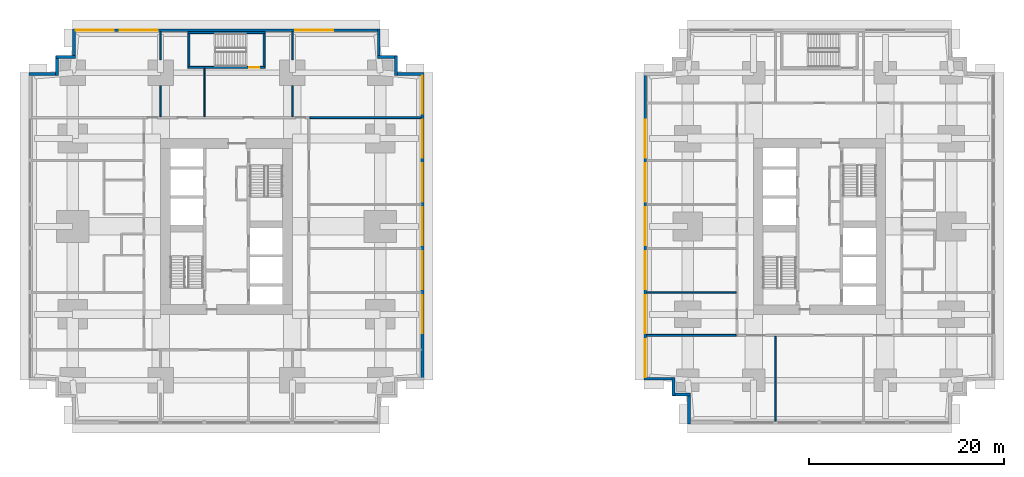
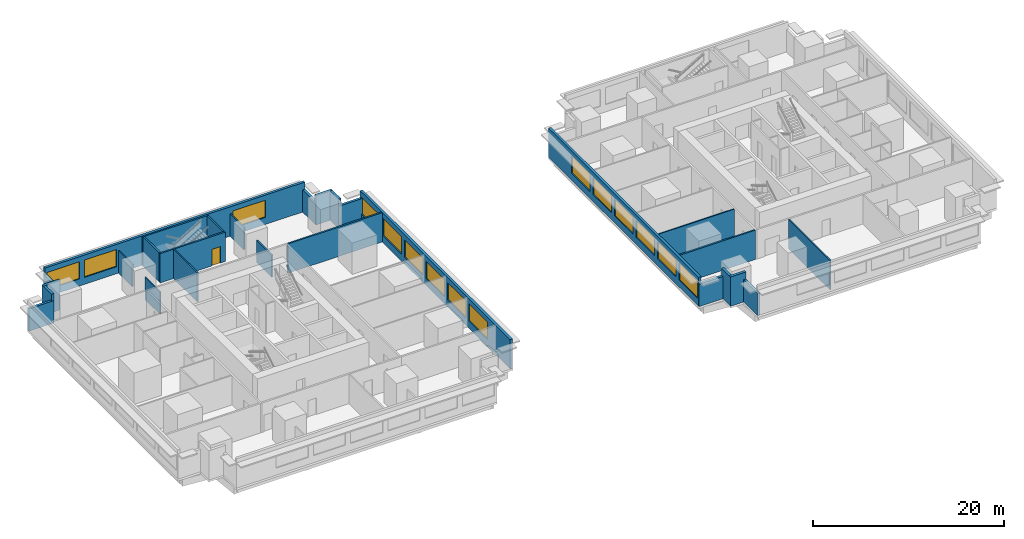
# One storey, part 5 of 11: 28 walls, 15 windows, 1 door, 16 openings.
"""IFC4 building model written with IfcOpenShell, lengths in metres."""

import ifcopenshell
import ifcopenshell.guid

model = None  # the IFC model being written
_history = None  # IfcOwnerHistory: only IFC2X3 demands one
_inside = {}  # id of a spatial element -> (the spatial element, [elements in it])
_under = {}  # id of a project, library or spatial element -> (it, [spatial elements below it])
_declared = {}  # id of a project -> (the project, [libraries it declares])
_typed = {}  # id of a type object -> (the type object, [elements of that type])
_made_of = {}  # id of a material, layer set ... -> (it, [elements and type objects made of it])


def new_model(schema):
    """Start an empty IFC model of exactly this schema.

    Asked for "IFC4X3", IfcOpenShell would pick the latest addendum, in which some entities
    have other attributes; the version numbers below select the first issue.
    IFC2X3 requires an IfcOwnerHistory on every rooted entity: one is made here for all.
    """
    global model, _history
    if schema == "IFC4X3":
        model = ifcopenshell.file(schema_version=(4, 3, 0, 0))
    else:
        model = ifcopenshell.file(schema=schema)
    _inside.clear()
    _under.clear()
    _declared.clear()
    _typed.clear()
    _made_of.clear()
    _history = None
    if model.schema == "IFC2X3":
        org = make("IfcOrganization", Name="unknown")
        user = make(
            "IfcPersonAndOrganization",
            ThePerson=make("IfcPerson", FamilyName="unknown"),
            TheOrganization=org,
        )
        app = make(
            "IfcApplication",
            ApplicationDeveloper=org,
            Version="unknown",
            ApplicationFullName="unknown",
            ApplicationIdentifier="unknown",
        )
        _history = make(
            "IfcOwnerHistory",
            OwningUser=user,
            OwningApplication=app,
            ChangeAction="ADDED",
            CreationDate=0,
        )
    return model


def make(cls, **values):
    """One entity of the class cls with the attributes given. An attribute that is None is left unset."""
    return model.create_entity(
        cls, **{name: value for name, value in values.items() if value is not None}
    )


def rooted(cls, **values):
    """An entity with a GlobalId (a new one), such as an element, a storey or a relation."""
    return make(cls, GlobalId=ifcopenshell.guid.new(), OwnerHistory=_history, **values)


def si_unit(unit_type, name, prefix=None):
    """IfcSIUnit, for example si_unit("LENGTHUNIT", "METRE", prefix="MILLI")."""
    return make("IfcSIUnit", UnitType=unit_type, Prefix=prefix, Name=name)


def assignment(units):
    """IfcUnitAssignment: the units of a project."""
    return None if units is None else make("IfcUnitAssignment", Units=units)


def point(xyz):
    """IfcCartesianPoint."""
    return None if xyz is None else make("IfcCartesianPoint", Coordinates=xyz)


def direction(xyz):
    """IfcDirection."""
    return None if xyz is None else make("IfcDirection", DirectionRatios=xyz)


def frame(location, z_axis=None, x_axis=None):
    """IfcAxis2Placement3D, a coordinate frame: its origin and axes. An axis left out is left unset."""
    return make(
        "IfcAxis2Placement3D",
        Location=point(location),
        Axis=direction(z_axis),
        RefDirection=direction(x_axis),
    )


def frame_2d(location, x_axis=None):
    """IfcAxis2Placement2D, a coordinate frame in the plane: its origin and x axis."""
    return make(
        "IfcAxis2Placement2D", Location=point(location), RefDirection=direction(x_axis)
    )


def origin():
    """The frame at (0, 0, 0) with its axes left unset."""
    return frame((0.0, 0.0, 0.0))


def place(relative_to, where):
    """IfcLocalPlacement: puts the frame where relative to a parent placement (None: the world)."""
    return make(
        "IfcLocalPlacement", PlacementRelTo=relative_to, RelativePlacement=where
    )


def context(
    kind, dimensions, precision=None, world=None, true_north=None, identifier=None
):
    """IfcGeometricRepresentationContext, for example the 3D "Model" context."""
    return make(
        "IfcGeometricRepresentationContext",
        ContextIdentifier=identifier,
        ContextType=kind,
        CoordinateSpaceDimension=dimensions,
        Precision=precision,
        WorldCoordinateSystem=world,
        TrueNorth=true_north,
    )


def subcontext(parent, identifier, kind, view, scale=None):
    """IfcGeometricRepresentationSubContext, for example "Body" below "Model"."""
    return make(
        "IfcGeometricRepresentationSubContext",
        ContextIdentifier=identifier,
        ContextType=kind,
        ParentContext=parent,
        TargetScale=scale,
        TargetView=view,
    )


def project(units=None, contexts=None):
    """IfcProject with its units and contexts."""
    return rooted(
        "IfcProject",
        Name="project",
        RepresentationContexts=contexts,
        UnitsInContext=assignment(units),
    )


def spatial(cls, under=None, at=None, **own):
    """A site, building, storey or space (cls), placed at a placement, below another one or the project."""
    s = rooted(cls, ObjectPlacement=at, **own)
    if under is not None:
        _under.setdefault(under.id(), (under, []))[1].append(s)
    return s


def profile(cls, at=None, kind="AREA", **sizes):
    """A parametric profile (cls). Its sizes go by their IFC names, for example OverallWidth=200.0."""
    return make(cls, ProfileType=kind, Position=at, **sizes)


def rectangle(**sizes):
    """IfcRectangleProfileDef."""
    return profile("IfcRectangleProfileDef", **sizes)


def extrude(swept, where, along, depth):
    """IfcExtrudedAreaSolid: the profile swept, set in the frame where, extruded along a direction by depth."""
    return make(
        "IfcExtrudedAreaSolid",
        SweptArea=swept,
        Position=where,
        ExtrudedDirection=direction(along),
        Depth=depth,
    )


def shape(context_of_items, identifier, shape_type, items):
    """IfcShapeRepresentation: the items that make up one representation, for example the "Body"."""
    return make(
        "IfcShapeRepresentation",
        ContextOfItems=context_of_items,
        RepresentationIdentifier=identifier,
        RepresentationType=shape_type,
        Items=items,
    )


def material(Name=None, Category=None):
    """IfcMaterial."""
    return make("IfcMaterial", Name=Name, Category=Category)


def layer(
    of_material, thickness, ventilated=None, Name=None, Category=None, Priority=None
):
    """IfcMaterialLayer: one layer of a wall or slab, of a material (None: an air gap)."""
    return make(
        "IfcMaterialLayer",
        Material=of_material,
        LayerThickness=thickness,
        IsVentilated=ventilated,
        Name=Name,
        Category=Category,
        Priority=Priority,
    )


def layer_set(layers, Name=None):
    """IfcMaterialLayerSet."""
    return make("IfcMaterialLayerSet", MaterialLayers=layers, LayerSetName=Name)


def made_of(thing, what):
    """Note that an element or type object is made of a material, layer set ...; save() writes the relation."""
    if what is not None:
        _made_of.setdefault(what.id(), (what, []))[1].append(thing)
    return thing


def type_object(cls, material=None, **own):
    """A type object (cls), such as IfcWallType, which elements share."""
    return made_of(rooted(cls, **own), material)


def element(
    cls,
    number,
    at=None,
    inside=None,
    cuts=None,
    type_object=None,
    material=None,
    context=None,
    identifier="Body",
    shape_type=None,
    held_by="IfcProductDefinitionShape",
    body=None,
    shapes=None,
    **own,
):
    """One element of the class cls, such as IfcWall. Its Tag is "e" and its number.

    at: its placement. inside: the storey or other place that contains it. cuts: it is an
    opening in that element (IfcRelVoidsElement). A single representation is given by context,
    identifier, shape_type and body (its items); several are given by shapes. held_by: the class
    of the entity that holds the representations. save() writes the other relations.
    """
    e = rooted(cls, Tag="e%d" % number, ObjectPlacement=at, **own)
    if body is not None:
        shapes = [shape(context, identifier, shape_type, body)]
    if shapes is not None:
        e.Representation = make(held_by, Representations=shapes)
    if inside is not None:
        _inside.setdefault(inside.id(), (inside, []))[1].append(e)
    if cuts is not None:
        rooted(
            "IfcRelVoidsElement", RelatingBuildingElement=cuts, RelatedOpeningElement=e
        )
    if type_object is not None:
        _typed.setdefault(type_object.id(), (type_object, []))[1].append(e)
    return made_of(e, material)


def fill(opening, filler):
    """IfcRelFillsElement: the door or window that sits in an opening."""
    return rooted(
        "IfcRelFillsElement",
        RelatingOpeningElement=opening,
        RelatedBuildingElement=filler,
    )


def aggregate(whole, parts):
    """IfcRelAggregates: a whole, such as a stair, and the parts it consists of."""
    return rooted("IfcRelAggregates", RelatingObject=whole, RelatedObjects=parts)


def save(model, path):
    """Write the relations noted so far, then the file.

    IfcRelAggregates (storeys below a building ...), IfcRelContainedInSpatialStructure (elements
    in a storey), IfcRelDefinesByType, IfcRelAssociatesMaterial and IfcRelDeclares: one each for
    every whole, place, type object, material and project.
    """
    for whole, parts in _under.values():
        aggregate(whole, parts)
    for where, things in _inside.values():
        rooted(
            "IfcRelContainedInSpatialStructure",
            RelatedElements=things,
            RelatingStructure=where,
        )
    for kind, things in _typed.values():
        rooted("IfcRelDefinesByType", RelatedObjects=things, RelatingType=kind)
    for what, things in _made_of.values():
        rooted("IfcRelAssociatesMaterial", RelatedObjects=things, RelatingMaterial=what)
    for by, libraries in _declared.values():
        rooted("IfcRelDeclares", RelatingContext=by, RelatedDefinitions=libraries)
    model.write(path)


model = new_model("IFC4")

# Units and contexts
model_context = context("Model", 3, precision=1e-05, world=origin(), true_north=direction((0.0, 1.0)))
body_context = subcontext(model_context, "Body", "Model", "MODEL_VIEW")
ifc_project = project(units=[si_unit("LENGTHUNIT", "METRE"), si_unit("AREAUNIT", "SQUARE_METRE"), si_unit("VOLUMEUNIT", "CUBIC_METRE"), si_unit("PLANEANGLEUNIT", "RADIAN"), si_unit("MASSUNIT", "GRAM", prefix="KILO")], contexts=[model_context])

# Site, building, storey
site_placement = place(None, origin())
site = spatial("IfcSite", under=ifc_project, at=site_placement, CompositionType="ELEMENT")
building_placement = place(site_placement, origin())
building = spatial("IfcBuilding", under=site, at=building_placement, Name="Namib Vertical Campus", CompositionType="ELEMENT")
storey_placement = place(building_placement, frame((0.0, 0.0, 33.0)))
storey = spatial("IfcBuildingStorey", under=building, at=storey_placement, Name="L07", CompositionType="ELEMENT", Elevation=33.0)

# Walls
ifc_material_1 = material(Name="Concrete masonry", Category="masonry")
ifc_layer_1 = layer(ifc_material_1, 0.199951171875)
ifc_layer_set_1 = layer_set([ifc_layer_1], Name="Corridor wall 200")
wall_type_1 = type_object("IfcWallType", Name="Corridor wall 200", PredefinedType="SOLIDWALL", material=ifc_layer_set_1)
wall_1_placement = place(storey_placement, frame((28.800048828125, 31.39990234375, 0.0), z_axis=(0.0, 0.0, 1.0), x_axis=(1.0, 0.0, 0.0)))
element("IfcWall", 1, at=wall_1_placement, inside=storey, type_object=wall_type_1, Name="Partition A L07 BNE", PredefinedType="SOLIDWALL", context=body_context, shape_type="SweptSolid", body=[
    extrude(rectangle(XDim=11.39990234375, YDim=0.199951171875, at=frame_2d((5.699951171875, 0.0))), origin(), (0.0, 0.0, 1.0), 3.75),
])
wall_2_placement = place(storey_placement, frame((63.300048828125, 9.10009765625, 0.0), z_axis=(0.0, 0.0, 1.0), x_axis=(1.0, 0.0, 0.0)))
element("IfcWall", 2, at=wall_2_placement, inside=storey, type_object=wall_type_1, Name="Partition B L07 BSW", PredefinedType="SOLIDWALL", context=body_context, shape_type="SweptSolid", body=[
    extrude(rectangle(XDim=9.14990234375, YDim=0.199951171875, at=frame_2d((4.574951171875, 0.0))), origin(), (0.0, 0.0, 1.0), 3.75),
])

# Wall, openings, windows
ifc_material_2 = material(Name="Concrete C40/50", Category="concrete")
ifc_layer_2 = layer(ifc_material_2, 0.300048828125)
ifc_layer_set_2 = layer_set([ifc_layer_2], Name="Concrete C40/50")
wall_type_2 = type_object("IfcWallType", Name="External wall 300 board-marked concrete", PredefinedType="STANDARD", material=ifc_layer_set_2)
wall_3_placement = place(storey_placement, frame((40.35009765625, 4.52001953125, 0.0), z_axis=(0.0, 0.0, 1.0), x_axis=(0.0, 1.0, 0.0)))
wall_3 = element("IfcWall", 3, at=wall_3_placement, inside=storey, type_object=wall_type_2, Name="External wall L07 F06", PredefinedType="STANDARD", context=body_context, shape_type="SweptSolid", body=[
    extrude(rectangle(XDim=31.4599609375, YDim=0.300048828125, at=frame_2d((15.72998046875, 0.0))), origin(), (0.0, 0.0, 1.0), 3.75),
])
opening_1_placement = place(wall_3_placement, frame((4.780029296875, 0.0, 0.89990234375)))
opening_1 = element("IfcOpeningElement", 4, at=opening_1_placement, cuts=wall_3, Name="Opening W1", PredefinedType="OPENING", context=body_context, shape_type="SweptSolid", body=[
    extrude(rectangle(XDim=3.89990234375, YDim=2.199951171875, at=frame_2d((1.949951171875, 1.10009765625))), frame((0.0, 0.159912109375, 0.0), z_axis=(0.0, -1.0, 0.0), x_axis=(1.0, 0.0, 0.0)), (0.0, 0.0, 1.0), 0.320068359375),
])
opening_2_placement = place(wall_3_placement, frame((9.280029296875, 0.0, 0.89990234375)))
opening_2 = element("IfcOpeningElement", 5, at=opening_2_placement, cuts=wall_3, Name="Opening W1", PredefinedType="OPENING", context=body_context, shape_type="SweptSolid", body=[
    extrude(rectangle(XDim=3.89990234375, YDim=2.199951171875, at=frame_2d((1.949951171875, 1.10009765625))), frame((0.0, 0.159912109375, 0.0), z_axis=(0.0, -1.0, 0.0), x_axis=(1.0, 0.0, 0.0)), (0.0, 0.0, 1.0), 0.320068359375),
])
opening_3_placement = place(wall_3_placement, frame((13.780029296875, 0.0, 0.89990234375)))
opening_3 = element("IfcOpeningElement", 6, at=opening_3_placement, cuts=wall_3, Name="Opening W1", PredefinedType="OPENING", context=body_context, shape_type="SweptSolid", body=[
    extrude(rectangle(XDim=3.89990234375, YDim=2.199951171875, at=frame_2d((1.949951171875, 1.10009765625))), frame((0.0, 0.159912109375, 0.0), z_axis=(0.0, -1.0, 0.0), x_axis=(1.0, 0.0, 0.0)), (0.0, 0.0, 1.0), 0.320068359375),
])
opening_4_placement = place(wall_3_placement, frame((18.280029296875, 0.0, 0.89990234375)))
opening_4 = element("IfcOpeningElement", 7, at=opening_4_placement, cuts=wall_3, Name="Opening W1", PredefinedType="OPENING", context=body_context, shape_type="SweptSolid", body=[
    extrude(rectangle(XDim=3.89990234375, YDim=2.199951171875, at=frame_2d((1.949951171875, 1.10009765625))), frame((0.0, 0.159912109375, 0.0), z_axis=(0.0, -1.0, 0.0), x_axis=(1.0, 0.0, 0.0)), (0.0, 0.0, 1.0), 0.320068359375),
])
opening_5_placement = place(wall_3_placement, frame((22.780029296875, 0.0, 0.89990234375)))
opening_5 = element("IfcOpeningElement", 8, at=opening_5_placement, cuts=wall_3, Name="Opening W1", PredefinedType="OPENING", context=body_context, shape_type="SweptSolid", body=[
    extrude(rectangle(XDim=3.89990234375, YDim=2.199951171875, at=frame_2d((1.949951171875, 1.10009765625))), frame((0.0, 0.159912109375, 0.0), z_axis=(0.0, -1.0, 0.0), x_axis=(1.0, 0.0, 0.0)), (0.0, 0.0, 1.0), 0.320068359375),
])
opening_6_placement = place(wall_3_placement, frame((27.280029296875, 0.0, 0.89990234375)))
opening_6 = element("IfcOpeningElement", 9, at=opening_6_placement, cuts=wall_3, Name="Opening W1", PredefinedType="OPENING", context=body_context, shape_type="SweptSolid", body=[
    extrude(rectangle(XDim=3.89990234375, YDim=2.199951171875, at=frame_2d((1.949951171875, 1.10009765625))), frame((0.0, 0.159912109375, 0.0), z_axis=(0.0, -1.0, 0.0), x_axis=(1.0, 0.0, 0.0)), (0.0, 0.0, 1.0), 0.320068359375),
])
ifc_material_3 = material(Name="Dark tinted glass in black aluminium frame", Category="aluminium")
window_type = type_object("IfcWindowType", Name="Ribbon window 3900x2200", PartitioningType="SINGLE_PANEL", PredefinedType="WINDOW", material=ifc_material_3)
window_1_placement = place(opening_1_placement, origin())
window_1 = element("IfcWindow", 10, at=window_1_placement, inside=storey, type_object=window_type, Name="Window W1 L07 F06-2", OverallHeight=2.199951171875, OverallWidth=3.89990234375, PartitioningType="SINGLE_PANEL", PredefinedType="WINDOW", context=body_context, shape_type="SweptSolid", body=[
    extrude(rectangle(XDim=3.89990234375, YDim=2.199951171875, at=frame_2d((1.949951171875, 1.10009765625))), frame((0.0, 0.030029296875, 0.0), z_axis=(0.0, -1.0, 0.0), x_axis=(1.0, 0.0, 0.0)), (0.0, 0.0, 1.0), 0.06005859375),
])
fill(opening_1, window_1)
window_2_placement = place(opening_2_placement, origin())
window_2 = element("IfcWindow", 11, at=window_2_placement, inside=storey, type_object=window_type, Name="Window W1 L07 F06-3", OverallHeight=2.199951171875, OverallWidth=3.89990234375, PartitioningType="SINGLE_PANEL", PredefinedType="WINDOW", context=body_context, shape_type="SweptSolid", body=[
    extrude(rectangle(XDim=3.89990234375, YDim=2.199951171875, at=frame_2d((1.949951171875, 1.10009765625))), frame((0.0, 0.030029296875, 0.0), z_axis=(0.0, -1.0, 0.0), x_axis=(1.0, 0.0, 0.0)), (0.0, 0.0, 1.0), 0.06005859375),
])
fill(opening_2, window_2)
window_3_placement = place(opening_3_placement, origin())
window_3 = element("IfcWindow", 12, at=window_3_placement, inside=storey, type_object=window_type, Name="Window W1 L07 F06-4", OverallHeight=2.199951171875, OverallWidth=3.89990234375, PartitioningType="SINGLE_PANEL", PredefinedType="WINDOW", context=body_context, shape_type="SweptSolid", body=[
    extrude(rectangle(XDim=3.89990234375, YDim=2.199951171875, at=frame_2d((1.949951171875, 1.10009765625))), frame((0.0, 0.030029296875, 0.0), z_axis=(0.0, -1.0, 0.0), x_axis=(1.0, 0.0, 0.0)), (0.0, 0.0, 1.0), 0.06005859375),
])
fill(opening_3, window_3)
window_4_placement = place(opening_4_placement, origin())
window_4 = element("IfcWindow", 13, at=window_4_placement, inside=storey, type_object=window_type, Name="Window W1 L07 F06-5", OverallHeight=2.199951171875, OverallWidth=3.89990234375, PartitioningType="SINGLE_PANEL", PredefinedType="WINDOW", context=body_context, shape_type="SweptSolid", body=[
    extrude(rectangle(XDim=3.89990234375, YDim=2.199951171875, at=frame_2d((1.949951171875, 1.10009765625))), frame((0.0, 0.030029296875, 0.0), z_axis=(0.0, -1.0, 0.0), x_axis=(1.0, 0.0, 0.0)), (0.0, 0.0, 1.0), 0.06005859375),
])
fill(opening_4, window_4)
window_5_placement = place(opening_5_placement, origin())
window_5 = element("IfcWindow", 14, at=window_5_placement, inside=storey, type_object=window_type, Name="Window W1 L07 F06-6", OverallHeight=2.199951171875, OverallWidth=3.89990234375, PartitioningType="SINGLE_PANEL", PredefinedType="WINDOW", context=body_context, shape_type="SweptSolid", body=[
    extrude(rectangle(XDim=3.89990234375, YDim=2.199951171875, at=frame_2d((1.949951171875, 1.10009765625))), frame((0.0, 0.030029296875, 0.0), z_axis=(0.0, -1.0, 0.0), x_axis=(1.0, 0.0, 0.0)), (0.0, 0.0, 1.0), 0.06005859375),
])
fill(opening_5, window_5)
window_6_placement = place(opening_6_placement, origin())
window_6 = element("IfcWindow", 15, at=window_6_placement, inside=storey, type_object=window_type, Name="Window W1 L07 F06-7", OverallHeight=2.199951171875, OverallWidth=3.89990234375, PartitioningType="SINGLE_PANEL", PredefinedType="WINDOW", context=body_context, shape_type="SweptSolid", body=[
    extrude(rectangle(XDim=3.89990234375, YDim=2.199951171875, at=frame_2d((1.949951171875, 1.10009765625))), frame((0.0, 0.030029296875, 0.0), z_axis=(0.0, -1.0, 0.0), x_axis=(1.0, 0.0, 0.0)), (0.0, 0.0, 1.0), 0.06005859375),
])
fill(opening_6, window_6)

# Walls
wall_4_placement = place(storey_placement, frame((40.47998046875, 35.85009765625, 0.0), z_axis=(0.0, 0.0, 1.0), x_axis=(-1.0, 0.0, 0.0)))
element("IfcWall", 16, at=wall_4_placement, inside=storey, type_object=wall_type_2, Name="External wall L07 F07", PredefinedType="STANDARD", context=body_context, shape_type="SweptSolid", body=[
    extrude(rectangle(XDim=3.010009765625, YDim=0.300048828125, at=frame_2d((1.5048828125, 0.0))), origin(), (0.0, 0.0, 1.0), 2.85009765625),
])
for number, where, z_axis, x_axis, name in (
    (17, (37.60009765625, 35.719970703125, 0.0), (0.0, 0.0, 1.0), (0.0, 1.0, 0.0), "External wall L07 F08"),
    (18, (37.72998046875, 37.60009765625, 0.0), (0.0, 0.0, 1.0), (-1.0, 0.0, 0.0), "External wall L07 F09"),
):
    element("IfcWall", number, at=place(storey_placement, frame(where, z_axis=z_axis, x_axis=x_axis)), inside=storey, type_object=wall_type_2, Name=name, PredefinedType="STANDARD", context=body_context, shape_type="SweptSolid", body=[
        extrude(rectangle(XDim=2.010009765625, YDim=0.300048828125, at=frame_2d((1.0048828125, 0.0))), origin(), (0.0, 0.0, 1.0), 3.75),
    ])
wall_5_placement = place(storey_placement, frame((35.85009765625, 37.469970703125, 0.0), z_axis=(0.0, 0.0, 1.0), x_axis=(0.0, 1.0, 0.0)))
element("IfcWall", 19, at=wall_5_placement, inside=storey, type_object=wall_type_2, Name="External wall L07 F10", PredefinedType="STANDARD", context=body_context, shape_type="SweptSolid", body=[
    extrude(rectangle(XDim=3.010009765625, YDim=0.300048828125, at=frame_2d((1.5048828125, 0.0))), origin(), (0.0, 0.0, 1.0), 2.85009765625),
])

# Wall, openings, windows
wall_6_placement = place(storey_placement, frame((35.97998046875, 40.35009765625, 0.0), z_axis=(0.0, 0.0, 1.0), x_axis=(-1.0, 0.0, 0.0)))
wall_6 = element("IfcWall", 20, at=wall_6_placement, inside=storey, type_object=wall_type_2, Name="External wall L07 F11", PredefinedType="STANDARD", context=body_context, shape_type="SweptSolid", body=[
    extrude(rectangle(XDim=31.4599609375, YDim=0.300048828125, at=frame_2d((15.72998046875, 0.0))), origin(), (0.0, 0.0, 1.0), 3.75),
])
opening_7_placement = place(wall_6_placement, frame((27.280029296875, 0.0, 0.89990234375)))
opening_7 = element("IfcOpeningElement", 21, at=opening_7_placement, cuts=wall_6, Name="Opening W1", PredefinedType="OPENING", context=body_context, shape_type="SweptSolid", body=[
    extrude(rectangle(XDim=3.89990234375, YDim=2.199951171875, at=frame_2d((1.949951171875, 1.10009765625))), frame((0.0, 0.159912109375, 0.0), z_axis=(0.0, -1.0, 0.0), x_axis=(1.0, 0.0, 0.0)), (0.0, 0.0, 1.0), 0.320068359375),
])
opening_8_placement = place(wall_6_placement, frame((22.780029296875, 0.0, 0.89990234375)))
opening_8 = element("IfcOpeningElement", 22, at=opening_8_placement, cuts=wall_6, Name="Opening W1", PredefinedType="OPENING", context=body_context, shape_type="SweptSolid", body=[
    extrude(rectangle(XDim=3.89990234375, YDim=2.199951171875, at=frame_2d((1.949951171875, 1.10009765625))), frame((0.0, 0.159912109375, 0.0), z_axis=(0.0, -1.0, 0.0), x_axis=(1.0, 0.0, 0.0)), (0.0, 0.0, 1.0), 0.320068359375),
])
opening_9_placement = place(wall_6_placement, frame((4.780029296875, 0.0, 0.89990234375)))
opening_9 = element("IfcOpeningElement", 23, at=opening_9_placement, cuts=wall_6, Name="Opening W1", PredefinedType="OPENING", context=body_context, shape_type="SweptSolid", body=[
    extrude(rectangle(XDim=3.89990234375, YDim=2.199951171875, at=frame_2d((1.949951171875, 1.10009765625))), frame((0.0, 0.159912109375, 0.0), z_axis=(0.0, -1.0, 0.0), x_axis=(1.0, 0.0, 0.0)), (0.0, 0.0, 1.0), 0.320068359375),
])
window_7_placement = place(opening_7_placement, origin())
window_7 = element("IfcWindow", 24, at=window_7_placement, inside=storey, type_object=window_type, Name="Window W1 L07 F11-1", OverallHeight=2.199951171875, OverallWidth=3.89990234375, PartitioningType="SINGLE_PANEL", PredefinedType="WINDOW", context=body_context, shape_type="SweptSolid", body=[
    extrude(rectangle(XDim=3.89990234375, YDim=2.199951171875, at=frame_2d((1.949951171875, 1.10009765625))), frame((0.0, 0.030029296875, 0.0), z_axis=(0.0, -1.0, 0.0), x_axis=(1.0, 0.0, 0.0)), (0.0, 0.0, 1.0), 0.06005859375),
])
fill(opening_7, window_7)
window_8_placement = place(opening_8_placement, origin())
window_8 = element("IfcWindow", 25, at=window_8_placement, inside=storey, type_object=window_type, Name="Window W1 L07 F11-2", OverallHeight=2.199951171875, OverallWidth=3.89990234375, PartitioningType="SINGLE_PANEL", PredefinedType="WINDOW", context=body_context, shape_type="SweptSolid", body=[
    extrude(rectangle(XDim=3.89990234375, YDim=2.199951171875, at=frame_2d((1.949951171875, 1.10009765625))), frame((0.0, 0.030029296875, 0.0), z_axis=(0.0, -1.0, 0.0), x_axis=(1.0, 0.0, 0.0)), (0.0, 0.0, 1.0), 0.06005859375),
])
fill(opening_8, window_8)
window_9_placement = place(opening_9_placement, origin())
window_9 = element("IfcWindow", 26, at=window_9_placement, inside=storey, type_object=window_type, Name="Window W1 L07 F11-6", OverallHeight=2.199951171875, OverallWidth=3.89990234375, PartitioningType="SINGLE_PANEL", PredefinedType="WINDOW", context=body_context, shape_type="SweptSolid", body=[
    extrude(rectangle(XDim=3.89990234375, YDim=2.199951171875, at=frame_2d((1.949951171875, 1.10009765625))), frame((0.0, 0.030029296875, 0.0), z_axis=(0.0, -1.0, 0.0), x_axis=(1.0, 0.0, 0.0)), (0.0, 0.0, 1.0), 0.06005859375),
])
fill(opening_9, window_9)

# Walls
wall_7_placement = place(storey_placement, frame((4.64990234375, 40.47998046875, 0.0), z_axis=(0.0, 0.0, 1.0), x_axis=(0.0, -1.0, 0.0)))
element("IfcWall", 27, at=wall_7_placement, inside=storey, type_object=wall_type_2, Name="External wall L07 F12", PredefinedType="STANDARD", context=body_context, shape_type="SweptSolid", body=[
    extrude(rectangle(XDim=3.010009765625, YDim=0.300048828125, at=frame_2d((1.5048828125, 0.0))), origin(), (0.0, 0.0, 1.0), 2.85009765625),
])
for number, where, z_axis, x_axis, name in (
    (28, (4.780029296875, 37.60009765625, 0.0), (0.0, 0.0, 1.0), (-1.0, 0.0, 0.0), "External wall L07 F13"),
    (29, (2.89990234375, 37.72998046875, 0.0), (0.0, 0.0, 1.0), (0.0, -1.0, 0.0), "External wall L07 F14"),
):
    element("IfcWall", number, at=place(storey_placement, frame(where, z_axis=z_axis, x_axis=x_axis)), inside=storey, type_object=wall_type_2, Name=name, PredefinedType="STANDARD", context=body_context, shape_type="SweptSolid", body=[
        extrude(rectangle(XDim=2.010009765625, YDim=0.300048828125, at=frame_2d((1.0048828125, 0.0))), origin(), (0.0, 0.0, 1.0), 3.75),
    ])
wall_8_placement = place(storey_placement, frame((3.030029296875, 35.85009765625, 0.0), z_axis=(0.0, 0.0, 1.0), x_axis=(-1.0, 0.0, 0.0)))
element("IfcWall", 30, at=wall_8_placement, inside=storey, type_object=wall_type_2, Name="External wall L07 F15", PredefinedType="STANDARD", context=body_context, shape_type="SweptSolid", body=[
    extrude(rectangle(XDim=3.010009765625, YDim=0.300048828125, at=frame_2d((1.5048828125, 0.0))), origin(), (0.0, 0.0, 1.0), 2.85009765625),
])

# Wall, openings, windows
wall_9_placement = place(storey_placement, frame((63.14990234375, 35.97998046875, 0.0), z_axis=(0.0, 0.0, 1.0), x_axis=(0.0, -1.0, 0.0)))
wall_9 = element("IfcWall", 31, at=wall_9_placement, inside=storey, type_object=wall_type_2, Name="External wall L07 F16", PredefinedType="STANDARD", context=body_context, shape_type="SweptSolid", body=[
    extrude(rectangle(XDim=31.4599609375, YDim=0.300048828125, at=frame_2d((15.72998046875, 0.0))), origin(), (0.0, 0.0, 1.0), 3.75),
])
opening_10_placement = place(wall_9_placement, frame((27.280029296875, 0.0, 0.89990234375)))
opening_10 = element("IfcOpeningElement", 32, at=opening_10_placement, cuts=wall_9, Name="Opening W1", PredefinedType="OPENING", context=body_context, shape_type="SweptSolid", body=[
    extrude(rectangle(XDim=3.89990234375, YDim=2.199951171875, at=frame_2d((1.949951171875, 1.10009765625))), frame((0.0, 0.159912109375, 0.0), z_axis=(0.0, -1.0, 0.0), x_axis=(1.0, 0.0, 0.0)), (0.0, 0.0, 1.0), 0.320068359375),
])
opening_11_placement = place(wall_9_placement, frame((22.780029296875, 0.0, 0.89990234375)))
opening_11 = element("IfcOpeningElement", 33, at=opening_11_placement, cuts=wall_9, Name="Opening W1", PredefinedType="OPENING", context=body_context, shape_type="SweptSolid", body=[
    extrude(rectangle(XDim=3.89990234375, YDim=2.199951171875, at=frame_2d((1.949951171875, 1.10009765625))), frame((0.0, 0.159912109375, 0.0), z_axis=(0.0, -1.0, 0.0), x_axis=(1.0, 0.0, 0.0)), (0.0, 0.0, 1.0), 0.320068359375),
])
opening_12_placement = place(wall_9_placement, frame((18.280029296875, 0.0, 0.89990234375)))
opening_12 = element("IfcOpeningElement", 34, at=opening_12_placement, cuts=wall_9, Name="Opening W1", PredefinedType="OPENING", context=body_context, shape_type="SweptSolid", body=[
    extrude(rectangle(XDim=3.89990234375, YDim=2.199951171875, at=frame_2d((1.949951171875, 1.10009765625))), frame((0.0, 0.159912109375, 0.0), z_axis=(0.0, -1.0, 0.0), x_axis=(1.0, 0.0, 0.0)), (0.0, 0.0, 1.0), 0.320068359375),
])
opening_13_placement = place(wall_9_placement, frame((13.780029296875, 0.0, 0.89990234375)))
opening_13 = element("IfcOpeningElement", 35, at=opening_13_placement, cuts=wall_9, Name="Opening W1", PredefinedType="OPENING", context=body_context, shape_type="SweptSolid", body=[
    extrude(rectangle(XDim=3.89990234375, YDim=2.199951171875, at=frame_2d((1.949951171875, 1.10009765625))), frame((0.0, 0.159912109375, 0.0), z_axis=(0.0, -1.0, 0.0), x_axis=(1.0, 0.0, 0.0)), (0.0, 0.0, 1.0), 0.320068359375),
])
opening_14_placement = place(wall_9_placement, frame((9.280029296875, 0.0, 0.89990234375)))
opening_14 = element("IfcOpeningElement", 36, at=opening_14_placement, cuts=wall_9, Name="Opening W1", PredefinedType="OPENING", context=body_context, shape_type="SweptSolid", body=[
    extrude(rectangle(XDim=3.89990234375, YDim=2.199951171875, at=frame_2d((1.949951171875, 1.10009765625))), frame((0.0, 0.159912109375, 0.0), z_axis=(0.0, -1.0, 0.0), x_axis=(1.0, 0.0, 0.0)), (0.0, 0.0, 1.0), 0.320068359375),
])
opening_15_placement = place(wall_9_placement, frame((4.780029296875, 0.0, 0.89990234375)))
opening_15 = element("IfcOpeningElement", 37, at=opening_15_placement, cuts=wall_9, Name="Opening W1", PredefinedType="OPENING", context=body_context, shape_type="SweptSolid", body=[
    extrude(rectangle(XDim=3.89990234375, YDim=2.199951171875, at=frame_2d((1.949951171875, 1.10009765625))), frame((0.0, 0.159912109375, 0.0), z_axis=(0.0, -1.0, 0.0), x_axis=(1.0, 0.0, 0.0)), (0.0, 0.0, 1.0), 0.320068359375),
])
window_10_placement = place(opening_10_placement, origin())
window_10 = element("IfcWindow", 38, at=window_10_placement, inside=storey, type_object=window_type, Name="Window W1 L07 F16-1", OverallHeight=2.199951171875, OverallWidth=3.89990234375, PartitioningType="SINGLE_PANEL", PredefinedType="WINDOW", context=body_context, shape_type="SweptSolid", body=[
    extrude(rectangle(XDim=3.89990234375, YDim=2.199951171875, at=frame_2d((1.949951171875, 1.10009765625))), frame((0.0, 0.030029296875, 0.0), z_axis=(0.0, -1.0, 0.0), x_axis=(1.0, 0.0, 0.0)), (0.0, 0.0, 1.0), 0.06005859375),
])
fill(opening_10, window_10)
window_11_placement = place(opening_11_placement, origin())
window_11 = element("IfcWindow", 39, at=window_11_placement, inside=storey, type_object=window_type, Name="Window W1 L07 F16-2", OverallHeight=2.199951171875, OverallWidth=3.89990234375, PartitioningType="SINGLE_PANEL", PredefinedType="WINDOW", context=body_context, shape_type="SweptSolid", body=[
    extrude(rectangle(XDim=3.89990234375, YDim=2.199951171875, at=frame_2d((1.949951171875, 1.10009765625))), frame((0.0, 0.030029296875, 0.0), z_axis=(0.0, -1.0, 0.0), x_axis=(1.0, 0.0, 0.0)), (0.0, 0.0, 1.0), 0.06005859375),
])
fill(opening_11, window_11)
window_12_placement = place(opening_12_placement, origin())
window_12 = element("IfcWindow", 40, at=window_12_placement, inside=storey, type_object=window_type, Name="Window W1 L07 F16-3", OverallHeight=2.199951171875, OverallWidth=3.89990234375, PartitioningType="SINGLE_PANEL", PredefinedType="WINDOW", context=body_context, shape_type="SweptSolid", body=[
    extrude(rectangle(XDim=3.89990234375, YDim=2.199951171875, at=frame_2d((1.949951171875, 1.10009765625))), frame((0.0, 0.030029296875, 0.0), z_axis=(0.0, -1.0, 0.0), x_axis=(1.0, 0.0, 0.0)), (0.0, 0.0, 1.0), 0.06005859375),
])
fill(opening_12, window_12)
window_13_placement = place(opening_13_placement, origin())
window_13 = element("IfcWindow", 41, at=window_13_placement, inside=storey, type_object=window_type, Name="Window W1 L07 F16-4", OverallHeight=2.199951171875, OverallWidth=3.89990234375, PartitioningType="SINGLE_PANEL", PredefinedType="WINDOW", context=body_context, shape_type="SweptSolid", body=[
    extrude(rectangle(XDim=3.89990234375, YDim=2.199951171875, at=frame_2d((1.949951171875, 1.10009765625))), frame((0.0, 0.030029296875, 0.0), z_axis=(0.0, -1.0, 0.0), x_axis=(1.0, 0.0, 0.0)), (0.0, 0.0, 1.0), 0.06005859375),
])
fill(opening_13, window_13)
window_14_placement = place(opening_14_placement, origin())
window_14 = element("IfcWindow", 42, at=window_14_placement, inside=storey, type_object=window_type, Name="Window W1 L07 F16-5", OverallHeight=2.199951171875, OverallWidth=3.89990234375, PartitioningType="SINGLE_PANEL", PredefinedType="WINDOW", context=body_context, shape_type="SweptSolid", body=[
    extrude(rectangle(XDim=3.89990234375, YDim=2.199951171875, at=frame_2d((1.949951171875, 1.10009765625))), frame((0.0, 0.030029296875, 0.0), z_axis=(0.0, -1.0, 0.0), x_axis=(1.0, 0.0, 0.0)), (0.0, 0.0, 1.0), 0.06005859375),
])
fill(opening_14, window_14)
window_15_placement = place(opening_15_placement, origin())
window_15 = element("IfcWindow", 43, at=window_15_placement, inside=storey, type_object=window_type, Name="Window W1 L07 F16-6", OverallHeight=2.199951171875, OverallWidth=3.89990234375, PartitioningType="SINGLE_PANEL", PredefinedType="WINDOW", context=body_context, shape_type="SweptSolid", body=[
    extrude(rectangle(XDim=3.89990234375, YDim=2.199951171875, at=frame_2d((1.949951171875, 1.10009765625))), frame((0.0, 0.030029296875, 0.0), z_axis=(0.0, -1.0, 0.0), x_axis=(1.0, 0.0, 0.0)), (0.0, 0.0, 1.0), 0.06005859375),
])
fill(opening_15, window_15)

# Walls
wall_10_placement = place(storey_placement, frame((63.02001953125, 4.64990234375, 0.0), z_axis=(0.0, 0.0, 1.0), x_axis=(1.0, 0.0, 0.0)))
element("IfcWall", 44, at=wall_10_placement, inside=storey, type_object=wall_type_2, Name="External wall L07 F17", PredefinedType="STANDARD", context=body_context, shape_type="SweptSolid", body=[
    extrude(rectangle(XDim=3.159912109375, YDim=0.300048828125, at=frame_2d((1.580078125, 0.0))), origin(), (0.0, 0.0, 1.0), 2.85009765625),
])
for number, where, z_axis, x_axis, name in (
    (45, (66.050048828125, 4.780029296875, 0.0), (0.0, 0.0, 1.0), (0.0, -1.0, 0.0), "External wall L07 F18"),
    (46, (65.919921875, 3.050048828125, 0.0), (0.0, 0.0, 1.0), (1.0, 0.0, 0.0), "External wall L07 F19"),
):
    element("IfcWall", number, at=place(storey_placement, frame(where, z_axis=z_axis, x_axis=x_axis)), inside=storey, type_object=wall_type_2, Name=name, PredefinedType="STANDARD", context=body_context, shape_type="SweptSolid", body=[
        extrude(rectangle(XDim=1.860107421875, YDim=0.300048828125, at=frame_2d((0.93017578125, 0.0))), origin(), (0.0, 0.0, 1.0), 3.75),
    ])
wall_11_placement = place(storey_placement, frame((67.64990234375, 3.179931640625, 0.0), z_axis=(0.0, 0.0, 1.0), x_axis=(0.0, -1.0, 0.0)))
element("IfcWall", 47, at=wall_11_placement, inside=storey, type_object=wall_type_2, Name="External wall L07 F20", PredefinedType="STANDARD", context=body_context, shape_type="SweptSolid", body=[
    extrude(rectangle(XDim=3.159912109375, YDim=0.300048828125, at=frame_2d((1.580078125, 0.0))), origin(), (0.0, 0.0, 1.0), 2.85009765625),
])
ifc_material_4 = material(Name="Gypsum board on steel studs", Category="steel")
ifc_layer_3 = layer(ifc_material_4, 0.14990234375)
ifc_layer_set_3 = layer_set([ifc_layer_3], Name="Gypsum board on steel studs")
wall_type_3 = type_object("IfcWallType", Name="Partition 150", PredefinedType="PARTITIONING", material=ifc_layer_set_3)
wall_12_placement = place(storey_placement, frame((13.5, 31.5, 0.0), z_axis=(0.0, 0.0, 1.0), x_axis=(0.0, 1.0, 0.0)))
element("IfcWall", 48, at=wall_12_placement, inside=storey, type_object=wall_type_3, Name="Partition A L07 PN1", PredefinedType="PARTITIONING", context=body_context, shape_type="SweptSolid", body=[
    extrude(rectangle(XDim=3.179931640625, YDim=0.14990234375, at=frame_2d((1.58984375, 0.0))), origin(), (0.0, 0.0, 1.0), 2.85009765625),
])
wall_13_placement = place(storey_placement, frame((13.5, 37.320068359375, 0.0), z_axis=(0.0, 0.0, 1.0), x_axis=(0.0, 1.0, 0.0)))
element("IfcWall", 49, at=wall_13_placement, inside=storey, type_object=wall_type_3, Name="Partition A L07 PN1", PredefinedType="PARTITIONING", context=body_context, shape_type="SweptSolid", body=[
    extrude(rectangle(XDim=2.8798828125, YDim=0.14990234375, at=frame_2d((1.43994140625, 0.0))), origin(), (0.0, 0.0, 1.0), 2.85009765625),
])
wall_14_placement = place(storey_placement, frame((18.0, 31.5, 0.0), z_axis=(0.0, 0.0, 1.0), x_axis=(0.0, 1.0, 0.0)))
element("IfcWall", 50, at=wall_14_placement, inside=storey, type_object=wall_type_3, Name="Partition A L07 PN2", PredefinedType="PARTITIONING", context=body_context, shape_type="SweptSolid", body=[
    extrude(rectangle(XDim=4.949951171875, YDim=0.14990234375, at=frame_2d((2.47509765625, 0.0))), origin(), (0.0, 0.0, 1.0), 3.75),
])
wall_15_placement = place(storey_placement, frame((27.0, 31.5, 0.0), z_axis=(0.0, 0.0, 1.0), x_axis=(0.0, 1.0, 0.0)))
element("IfcWall", 51, at=wall_15_placement, inside=storey, type_object=wall_type_3, Name="Partition A L07 PN3", PredefinedType="PARTITIONING", context=body_context, shape_type="SweptSolid", body=[
    extrude(rectangle(XDim=3.179931640625, YDim=0.14990234375, at=frame_2d((1.58984375, 0.0))), origin(), (0.0, 0.0, 1.0), 2.85009765625),
])
wall_16_placement = place(storey_placement, frame((27.0, 37.320068359375, 0.0), z_axis=(0.0, 0.0, 1.0), x_axis=(0.0, 1.0, 0.0)))
element("IfcWall", 52, at=wall_16_placement, inside=storey, type_object=wall_type_3, Name="Partition A L07 PN3", PredefinedType="PARTITIONING", context=body_context, shape_type="SweptSolid", body=[
    extrude(rectangle(XDim=2.8798828125, YDim=0.14990234375, at=frame_2d((1.43994140625, 0.0))), origin(), (0.0, 0.0, 1.0), 2.85009765625),
])
wall_17_placement = place(storey_placement, frame((76.5, 0.300048828125, 0.0), z_axis=(0.0, 0.0, 1.0), x_axis=(0.0, 1.0, 0.0)))
element("IfcWall", 53, at=wall_17_placement, inside=storey, type_object=wall_type_3, Name="Partition B L07 PS1", PredefinedType="PARTITIONING", context=body_context, shape_type="SweptSolid", body=[
    extrude(rectangle(XDim=8.699951171875, YDim=0.14990234375, at=frame_2d((4.35009765625, 0.0))), origin(), (0.0, 0.0, 1.0), 3.75),
])
wall_18_placement = place(storey_placement, frame((63.300048828125, 13.5, 0.0), z_axis=(0.0, 0.0, 1.0), x_axis=(1.0, 0.0, 0.0)))
element("IfcWall", 54, at=wall_18_placement, inside=storey, type_object=wall_type_3, Name="Partition B L07 PW1", PredefinedType="PARTITIONING", context=body_context, shape_type="SweptSolid", body=[
    extrude(rectangle(XDim=9.14990234375, YDim=0.14990234375, at=frame_2d((4.574951171875, 0.0))), origin(), (0.0, 0.0, 1.0), 3.75),
])

# Wall, opening, door
ifc_material_5 = material(Name="Concrete C40/50", Category="concrete")
ifc_layer_4 = layer(ifc_material_5, 0.199951171875)
ifc_layer_set_4 = layer_set([ifc_layer_4], Name="Concrete C40/50")
wall_type_4 = type_object("IfcWallType", Name="Stair enclosure wall RC 200", PredefinedType="SOLIDWALL", material=ifc_layer_set_4)
wall_19_placement = place(storey_placement, frame((16.300048828125, 36.550048828125, 0.0), z_axis=(0.0, 0.0, 1.0), x_axis=(1.0, 0.0, 0.0)))
wall_19 = element("IfcWall", 55, at=wall_19_placement, inside=storey, type_object=wall_type_4, Name="Stair enclosure wall A-S3 L07 S", PredefinedType="SOLIDWALL", context=body_context, shape_type="SweptSolid", body=[
    extrude(rectangle(XDim=7.89990234375, YDim=0.199951171875, at=frame_2d((3.949951171875, 0.0))), origin(), (0.0, 0.0, 1.0), 3.75),
])
opening_16_placement = place(wall_19_placement, frame((6.300048828125, 0.0, 0.0)))
opening_16 = element("IfcOpeningElement", 56, at=opening_16_placement, cuts=wall_19, Name="Opening FD1", PredefinedType="OPENING", context=body_context, shape_type="SweptSolid", body=[
    extrude(rectangle(XDim=1.0, YDim=2.10009765625, at=frame_2d((0.5, 1.050048828125))), frame((0.0, 0.10986328125, 0.0), z_axis=(0.0, -1.0, 0.0), x_axis=(1.0, 0.0, 0.0)), (0.0, 0.0, 1.0), 0.219970703125),
])
ifc_material_6 = material(Name="Steel fire door", Category="steel")
door_type = type_object("IfcDoorType", Name="Fire door 1000x2100", OperationType="SINGLE_SWING_RIGHT", PredefinedType="DOOR", material=ifc_material_6)
door_placement = place(opening_16_placement, origin())
door = element("IfcDoor", 57, at=door_placement, inside=storey, type_object=door_type, Name="Stair door FD1 A L07 S3", OperationType="SINGLE_SWING_RIGHT", OverallHeight=2.10009765625, OverallWidth=1.0, PredefinedType="DOOR", context=body_context, shape_type="SweptSolid", body=[
    extrude(rectangle(XDim=1.0, YDim=2.10009765625, at=frame_2d((0.5, 1.050048828125))), frame((0.0, 0.02490234375, 0.0), z_axis=(0.0, -1.0, 0.0), x_axis=(1.0, 0.0, 0.0)), (0.0, 0.0, 1.0), 0.050048828125),
])
fill(opening_16, door)

# Walls
wall_20_placement = place(storey_placement, frame((16.300048828125, 40.10009765625, 0.0), z_axis=(0.0, 0.0, 1.0), x_axis=(1.0, 0.0, 0.0)))
element("IfcWall", 58, at=wall_20_placement, inside=storey, type_object=wall_type_4, Name="Stair enclosure wall A-S3 L07 N", PredefinedType="SOLIDWALL", context=body_context, shape_type="SweptSolid", body=[
    extrude(rectangle(XDim=7.89990234375, YDim=0.199951171875, at=frame_2d((3.949951171875, 0.0))), origin(), (0.0, 0.0, 1.0), 3.75),
])
for number, where, z_axis, x_axis, name in (
    (59, (16.39990234375, 36.64990234375, 0.0), (0.0, 0.0, 1.0), (0.0, 1.0, 0.0), "Stair enclosure wall A-S3 L07 W"),
    (60, (24.10009765625, 36.64990234375, 0.0), (0.0, 0.0, 1.0), (0.0, 1.0, 0.0), "Stair enclosure wall A-S3 L07 E"),
):
    element("IfcWall", number, at=place(storey_placement, frame(where, z_axis=z_axis, x_axis=x_axis)), inside=storey, type_object=wall_type_4, Name=name, PredefinedType="SOLIDWALL", context=body_context, shape_type="SweptSolid", body=[
        extrude(rectangle(XDim=3.35009765625, YDim=0.199951171875, at=frame_2d((1.675048828125, 0.0))), origin(), (0.0, 0.0, 1.0), 3.75),
    ])

save(model, "model.ifc")
